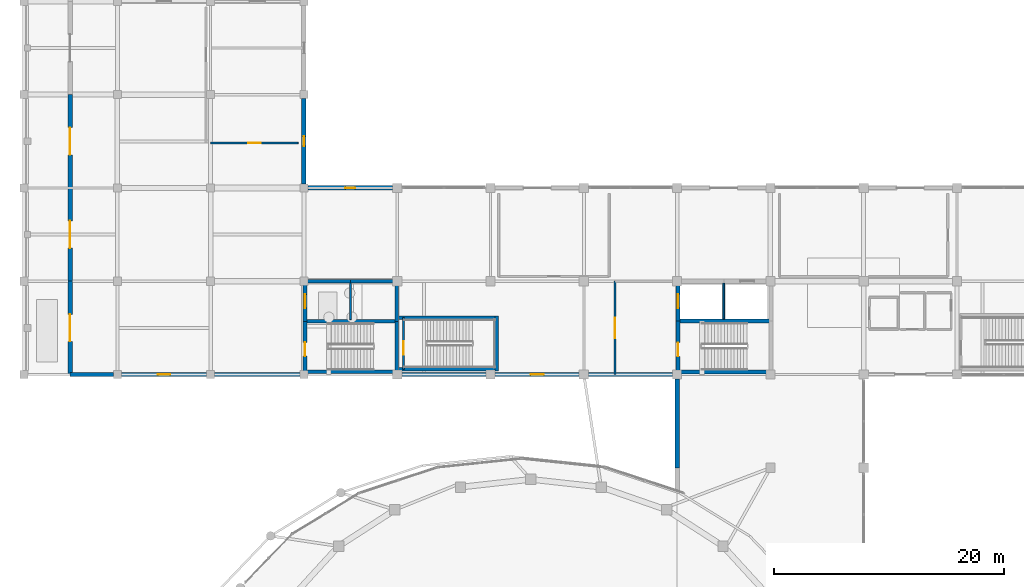
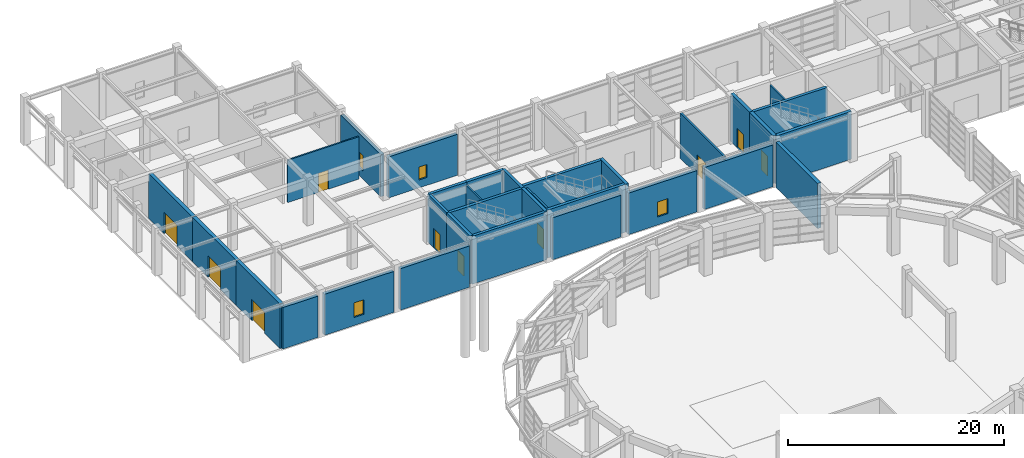
# One storey, part 38 of 52: 32 walls, 10 doors, 4 windows, 14 openings.
"""IFC4 building model written with IfcOpenShell, lengths in metres."""

from ifc_helpers import new_model, si_unit, direction, frame, frame_2d, origin, place, context, subcontext, project, spatial, rectangle, extrude, material, layer, layer_set, type_object, element, fill, save


model = new_model("IFC4")

# Units and contexts
model_context = context("Model", 3, precision=1e-05, world=origin(), true_north=direction((0.0, 1.0)))
body_context = subcontext(model_context, "Body", "Model", "MODEL_VIEW")
ifc_project = project(units=[si_unit("LENGTHUNIT", "METRE"), si_unit("AREAUNIT", "SQUARE_METRE"), si_unit("VOLUMEUNIT", "CUBIC_METRE"), si_unit("PLANEANGLEUNIT", "RADIAN"), si_unit("MASSUNIT", "GRAM", prefix="KILO")], contexts=[model_context])

# Site, building, storey
site_placement = place(None, origin())
site = spatial("IfcSite", under=ifc_project, at=site_placement, CompositionType="ELEMENT")
building_placement = place(site_placement, origin())
building = spatial("IfcBuilding", under=site, at=building_placement, Name="Parian Resonance Hall", CompositionType="ELEMENT")
storey_placement = place(building_placement, origin())
storey = spatial("IfcBuildingStorey", under=building, at=storey_placement, Name="L00", CompositionType="ELEMENT", Elevation=0.0)

# Wall
ifc_material_1 = material(Name="Concrete C40/50", Category="concrete")
ifc_layer_1 = layer(ifc_material_1, 0.31005859375)
ifc_layer_set_1 = layer_set([ifc_layer_1], Name="Concrete C40/50")
wall_type_1 = type_object("IfcWallType", Name="CW310", PredefinedType="SHEAR", material=ifc_layer_set_1)
wall_1_placement = place(storey_placement, frame((56.77001953125, 77.550048828125, 0.0), z_axis=(0.0, 0.0, 1.0), x_axis=(1.0, 0.0, 0.0)))
element("IfcWall", 1, at=wall_1_placement, inside=storey, type_object=wall_type_1, Name="Core K1 stair-lift divider wall L00", PredefinedType="SHEAR", context=body_context, shape_type="SweptSolid", body=[
    extrude(rectangle(XDim=8.06005859375, YDim=0.31005859375, at=frame_2d((4.030029296875, 0.0))), origin(), (0.0, 0.0, 1.0), 5.39990234375),
])

# Wall, opening, door
wall_2_placement = place(storey_placement, frame((24.389892578125, 73.14990234375, 0.0), z_axis=(0.0, 0.0, 1.0), x_axis=(0.0, 1.0, 0.0)))
wall_2 = element("IfcWall", 2, at=wall_2_placement, inside=storey, type_object=wall_type_1, Name="Core K4 stairwell west shear wall L00", PredefinedType="SHEAR", context=body_context, shape_type="SweptSolid", body=[
    extrude(rectangle(XDim=4.360107421875, YDim=0.31005859375, at=frame_2d((2.18017578125, 0.0))), origin(), (0.0, 0.0, 1.0), 5.39990234375),
])
opening_1_placement = place(wall_2_placement, frame((1.35009765625, 0.0, 0.0)))
opening_1 = element("IfcOpeningElement", 3, at=opening_1_placement, cuts=wall_2, Name="Opening FD-01", PredefinedType="OPENING", context=body_context, shape_type="SweptSolid", body=[
    extrude(rectangle(XDim=1.199951171875, YDim=2.25, at=frame_2d((0.60009765625, 1.125))), frame((0.0, 0.1650390625, 0.0), z_axis=(0.0, -1.0, 0.0), x_axis=(1.0, 0.0, 0.0)), (0.0, 0.0, 1.0), 0.330078125),
])
ifc_material_2 = material(Name="Fire-rated acoustic steel and narra timber door", Category="steel")
door_type_1 = type_object("IfcDoorType", Name="FD-01", OperationType="NOTDEFINED", PredefinedType="DOOR", material=ifc_material_2)
door_1_placement = place(opening_1_placement, origin())
door_1 = element("IfcDoor", 4, at=door_1_placement, inside=storey, type_object=door_type_1, Name="Exit stair ST-04 fire door L00", OperationType="SINGLE_SWING_LEFT", OverallHeight=2.25, OverallWidth=1.199951171875, PredefinedType="DOOR", context=body_context, shape_type="SweptSolid", body=[
    extrude(rectangle(XDim=1.199951171875, YDim=2.25, at=frame_2d((0.60009765625, 1.125))), frame((0.0, 0.02490234375, 0.0), z_axis=(0.0, -1.0, 0.0), x_axis=(1.0, 0.0, 0.0)), (0.0, 0.0, 1.0), 0.050048828125),
])
fill(opening_1, door_1)

wall_3_placement = place(storey_placement, frame((24.389892578125, 77.510009765625, 0.0), z_axis=(0.0, 0.0, 1.0), x_axis=(0.0, 1.0, 0.0)))
wall_3 = element("IfcWall", 5, at=wall_3_placement, inside=storey, type_object=wall_type_1, Name="Core K4 lift shaft west shear wall L00", PredefinedType="SHEAR", context=body_context, shape_type="SweptSolid", body=[
    extrude(rectangle(XDim=3.489990234375, YDim=0.31005859375, at=frame_2d((1.7451171875, 0.0))), origin(), (0.0, 0.0, 1.0), 5.39990234375),
])
opening_2_placement = place(wall_3_placement, frame((1.14501953125, 0.0, 0.0)))
opening_2 = element("IfcOpeningElement", 6, at=opening_2_placement, cuts=wall_3, Name="Opening LD-01", PredefinedType="OPENING", context=body_context, shape_type="SweptSolid", body=[
    extrude(rectangle(XDim=1.199951171875, YDim=2.199951171875, at=frame_2d((0.60009765625, 1.10009765625))), frame((0.0, 0.1650390625, 0.0), z_axis=(0.0, -1.0, 0.0), x_axis=(1.0, 0.0, 0.0)), (0.0, 0.0, 1.0), 0.330078125),
])
ifc_material_3 = material(Name="Stainless steel and bronze elevator cab", Category="steel")
door_type_2 = type_object("IfcDoorType", Name="DOOR-LIFT-1200x2200", OperationType="SLIDING_TO_LEFT", PredefinedType="DOOR", material=ifc_material_3)
door_2_placement = place(opening_2_placement, origin())
door_2 = element("IfcDoor", 7, at=door_2_placement, inside=storey, type_object=door_type_2, Name="Lift LF-05 sliding landing door L00", OperationType="SLIDING_TO_LEFT", OverallHeight=2.199951171875, OverallWidth=1.199951171875, PredefinedType="DOOR", context=body_context, shape_type="SweptSolid", body=[
    extrude(rectangle(XDim=1.199951171875, YDim=2.199951171875, at=frame_2d((0.60009765625, 1.10009765625))), frame((0.0, 0.02490234375, 0.0), z_axis=(0.0, -1.0, 0.0), x_axis=(1.0, 0.0, 0.0)), (0.0, 0.0, 1.0), 0.050048828125),
])
fill(opening_2, door_2)

# Walls
wall_4_placement = place(storey_placement, frame((24.389892578125, 81.0, 0.0), z_axis=(0.0, 0.0, 1.0), x_axis=(1.0, 0.0, 0.0)))
element("IfcWall", 8, at=wall_4_placement, inside=storey, type_object=wall_type_1, Name="Core K4 north-west shaft wall L00", PredefinedType="SHEAR", context=body_context, shape_type="SweptSolid", body=[
    extrude(rectangle(XDim=3.960205078125, YDim=0.31005859375, at=frame_2d((1.97998046875, 0.0))), origin(), (0.0, 0.0, 1.0), 5.39990234375),
])
wall_5_placement = place(storey_placement, frame((28.35009765625, 81.0, 0.0), z_axis=(0.0, 0.0, 1.0), x_axis=(1.0, 0.0, 0.0)))
element("IfcWall", 9, at=wall_5_placement, inside=storey, type_object=wall_type_1, Name="Core K4 north-east shaft wall L00", PredefinedType="SHEAR", context=body_context, shape_type="SweptSolid", body=[
    extrude(rectangle(XDim=4.02001953125, YDim=0.31005859375, at=frame_2d((2.010009765625, 0.0))), origin(), (0.0, 0.0, 1.0), 5.39990234375),
])
wall_6_placement = place(storey_placement, frame((32.3701171875, 81.0, 0.0), z_axis=(0.0, 0.0, 1.0), x_axis=(0.0, -1.0, 0.0)))
element("IfcWall", 10, at=wall_6_placement, inside=storey, type_object=wall_type_1, Name="Core K4 east shaft wall L00", PredefinedType="SHEAR", context=body_context, shape_type="SweptSolid", body=[
    extrude(rectangle(XDim=3.489990234375, YDim=0.31005859375, at=frame_2d((1.7451171875, 0.0))), origin(), (0.0, 0.0, 1.0), 5.39990234375),
])
wall_7_placement = place(storey_placement, frame((32.3701171875, 77.510009765625, 0.0), z_axis=(0.0, 0.0, 1.0), x_axis=(0.0, -1.0, 0.0)))
element("IfcWall", 11, at=wall_7_placement, inside=storey, type_object=wall_type_1, Name="Core K4 stairwell east wall L00", PredefinedType="SHEAR", context=body_context, shape_type="SweptSolid", body=[
    extrude(rectangle(XDim=4.360107421875, YDim=0.31005859375, at=frame_2d((2.18017578125, 0.0))), origin(), (0.0, 0.0, 1.0), 5.39990234375),
])
for number, where, z_axis, x_axis, name in (
    (12, (32.3701171875, 73.14990234375, 0.0), (0.0, 0.0, 1.0), (-1.0, 0.0, 0.0), "Core K4 stairwell south wall L00"),
    (13, (24.389892578125, 77.510009765625, 0.0), (0.0, 0.0, 1.0), (1.0, 0.0, 0.0), "Core K4 stair-lift divider wall L00"),
):
    element("IfcWall", number, at=place(storey_placement, frame(where, z_axis=z_axis, x_axis=x_axis)), inside=storey, type_object=wall_type_1, Name=name, PredefinedType="SHEAR", context=body_context, shape_type="SweptSolid", body=[
        extrude(rectangle(XDim=7.980224609375, YDim=0.31005859375, at=frame_2d((3.990234375, 0.0))), origin(), (0.0, 0.0, 1.0), 5.39990234375),
    ])
wall_8_placement = place(storey_placement, frame((32.39990234375, 73.35009765625, 0.0), z_axis=(0.0, 0.0, 1.0), x_axis=(1.0, 0.0, 0.0)))
element("IfcWall", 14, at=wall_8_placement, inside=storey, type_object=wall_type_1, Name="Enclosed foyer exit stair ST-07 shear wall L00-S", PredefinedType="SHEAR", context=body_context, shape_type="SweptSolid", body=[
    extrude(rectangle(XDim=8.795166015625, YDim=0.31005859375, at=frame_2d((4.3974609375, 0.0))), origin(), (0.0, 0.0, 1.0), 5.39990234375),
])
wall_9_placement = place(storey_placement, frame((41.0400390625, 73.195068359375, 0.0), z_axis=(0.0, 0.0, 1.0), x_axis=(0.0, 1.0, 0.0)))
element("IfcWall", 15, at=wall_9_placement, inside=storey, type_object=wall_type_1, Name="Enclosed foyer exit stair ST-07 shear wall L00-E", PredefinedType="SHEAR", context=body_context, shape_type="SweptSolid", body=[
    extrude(rectangle(XDim=4.7900390625, YDim=0.31005859375, at=frame_2d((2.39501953125, 0.0))), origin(), (0.0, 0.0, 1.0), 5.39990234375),
])
wall_10_placement = place(storey_placement, frame((41.195068359375, 77.830078125, 0.0), z_axis=(0.0, 0.0, 1.0), x_axis=(-1.0, 0.0, 0.0)))
element("IfcWall", 16, at=wall_10_placement, inside=storey, type_object=wall_type_1, Name="Enclosed foyer exit stair ST-07 shear wall L00-N", PredefinedType="SHEAR", context=body_context, shape_type="SweptSolid", body=[
    extrude(rectangle(XDim=8.795166015625, YDim=0.31005859375, at=frame_2d((4.3974609375, 0.0))), origin(), (0.0, 0.0, 1.0), 5.39990234375),
])

# Wall, opening, door
ifc_material_4 = material(Name="Concrete C40/50", Category="concrete")
ifc_layer_2 = layer(ifc_material_4, 0.35009765625)
ifc_layer_set_2 = layer_set([ifc_layer_2], Name="Concrete C40/50")
wall_type_2 = type_object("IfcWallType", Name="CW350", PredefinedType="SHEAR", material=ifc_layer_set_2)
wall_11_placement = place(storey_placement, frame((56.77001953125, 73.1298828125, 0.0), z_axis=(0.0, 0.0, 1.0), x_axis=(0.0, 1.0, 0.0)))
wall_11 = element("IfcWall", 17, at=wall_11_placement, inside=storey, type_object=wall_type_2, Name="Core K1 stairwell west shear wall L00", PredefinedType="SHEAR", context=body_context, shape_type="SweptSolid", body=[
    extrude(rectangle(XDim=4.420166015625, YDim=0.35009765625, at=frame_2d((2.2099609375, 0.0))), origin(), (0.0, 0.0, 1.0), 5.39990234375),
])
opening_3_placement = place(wall_11_placement, frame((1.35009765625, 0.0, 0.0)))
opening_3 = element("IfcOpeningElement", 18, at=opening_3_placement, cuts=wall_11, Name="Opening FD-01", PredefinedType="OPENING", context=body_context, shape_type="SweptSolid", body=[
    extrude(rectangle(XDim=1.199951171875, YDim=2.25, at=frame_2d((0.60009765625, 1.125))), frame((0.0, 0.18505859375, 0.0), z_axis=(0.0, -1.0, 0.0), x_axis=(1.0, 0.0, 0.0)), (0.0, 0.0, 1.0), 0.3701171875),
])
door_3_placement = place(opening_3_placement, origin())
door_3 = element("IfcDoor", 19, at=door_3_placement, inside=storey, type_object=door_type_1, Name="Exit stair ST-01 fire door L00", OperationType="SINGLE_SWING_RIGHT", OverallHeight=2.25, OverallWidth=1.199951171875, PredefinedType="DOOR", context=body_context, shape_type="SweptSolid", body=[
    extrude(rectangle(XDim=1.199951171875, YDim=2.25, at=frame_2d((0.60009765625, 1.125))), frame((0.0, 0.02490234375, 0.0), z_axis=(0.0, -1.0, 0.0), x_axis=(1.0, 0.0, 0.0)), (0.0, 0.0, 1.0), 0.050048828125),
])
fill(opening_3, door_3)

wall_12_placement = place(storey_placement, frame((56.77001953125, 77.550048828125, 0.0), z_axis=(0.0, 0.0, 1.0), x_axis=(0.0, 1.0, 0.0)))
wall_12 = element("IfcWall", 20, at=wall_12_placement, inside=storey, type_object=wall_type_2, Name="Core K1 lift shaft west shear wall L00", PredefinedType="SHEAR", context=body_context, shape_type="SweptSolid", body=[
    extrude(rectangle(XDim=3.449951171875, YDim=0.35009765625, at=frame_2d((1.72509765625, 0.0))), origin(), (0.0, 0.0, 1.0), 5.39990234375),
])
opening_4_placement = place(wall_12_placement, frame((1.125, 0.0, 0.0)))
opening_4 = element("IfcOpeningElement", 21, at=opening_4_placement, cuts=wall_12, Name="Opening LD-01", PredefinedType="OPENING", context=body_context, shape_type="SweptSolid", body=[
    extrude(rectangle(XDim=1.199951171875, YDim=2.199951171875, at=frame_2d((0.60009765625, 1.10009765625))), frame((0.0, 0.18505859375, 0.0), z_axis=(0.0, -1.0, 0.0), x_axis=(1.0, 0.0, 0.0)), (0.0, 0.0, 1.0), 0.3701171875),
])
door_4_placement = place(opening_4_placement, origin())
door_4 = element("IfcDoor", 22, at=door_4_placement, inside=storey, type_object=door_type_2, Name="Lift LF-01 sliding landing door L00", OperationType="SLIDING_TO_LEFT", OverallHeight=2.199951171875, OverallWidth=1.199951171875, PredefinedType="DOOR", context=body_context, shape_type="SweptSolid", body=[
    extrude(rectangle(XDim=1.199951171875, YDim=2.199951171875, at=frame_2d((0.60009765625, 1.10009765625))), frame((0.0, 0.02490234375, 0.0), z_axis=(0.0, -1.0, 0.0), x_axis=(1.0, 0.0, 0.0)), (0.0, 0.0, 1.0), 0.050048828125),
])
fill(opening_4, door_4)

# Wall
wall_13_placement = place(storey_placement, frame((64.830078125, 73.1298828125, 0.0), z_axis=(0.0, 0.0, 1.0), x_axis=(-1.0, 0.0, 0.0)))
element("IfcWall", 23, at=wall_13_placement, inside=storey, type_object=wall_type_2, Name="Core K1 stairwell south wall L00", PredefinedType="SHEAR", context=body_context, shape_type="SweptSolid", body=[
    extrude(rectangle(XDim=8.06005859375, YDim=0.35009765625, at=frame_2d((4.030029296875, 0.0))), origin(), (0.0, 0.0, 1.0), 5.39990234375),
])

# Wall, opening, door
ifc_material_5 = material(Name="Concrete C35/45 with Carcar coral-limestone ashlar", Category="masonry")
ifc_layer_3 = layer(ifc_material_5, 0.3798828125)
ifc_layer_set_3 = layer_set([ifc_layer_3], Name="Concrete C35/45 with Carcar coral-limestone ashlar")
wall_type_3 = type_object("IfcWallType", Name="EW-PLINTH-380", PredefinedType="SOLIDWALL", material=ifc_layer_set_3)
wall_14_placement = place(storey_placement, frame((4.0, 72.89990234375, 0.0), z_axis=(0.0, 0.0, 1.0), x_axis=(0.0, 1.0, 0.0)))
wall_14 = element("IfcWall", 24, at=wall_14_placement, inside=storey, type_object=wall_type_3, Name="Exterior wall EW-L00-0103", PredefinedType="SOLIDWALL", context=body_context, shape_type="SweptSolid", body=[
    extrude(rectangle(XDim=8.10009765625, YDim=0.3798828125, at=frame_2d((4.050048828125, 0.0))), origin(), (0.0, 0.0, 1.0), 5.050048828125),
])
opening_5_placement = place(wall_14_placement, frame((2.8701171875, 0.0, 0.0)))
opening_5 = element("IfcOpeningElement", 25, at=opening_5_placement, cuts=wall_14, Name="Opening EX-01", PredefinedType="OPENING", context=body_context, shape_type="SweptSolid", body=[
    extrude(rectangle(XDim=2.360107421875, YDim=2.39990234375, at=frame_2d((1.18017578125, 1.199951171875))), frame((0.0, 0.199951171875, 0.0), z_axis=(0.0, -1.0, 0.0), x_axis=(1.0, 0.0, 0.0)), (0.0, 0.0, 1.0), 0.39990234375),
])
ifc_material_6 = material(Name="Marine-grade bronze and acoustic glazed door")
door_type_3 = type_object("IfcDoorType", Name="ED-EXIT-2000x2400", OperationType="NOTDEFINED", PredefinedType="DOOR", material=ifc_material_6)
door_5_placement = place(opening_5_placement, origin())
door_5 = element("IfcDoor", 26, at=door_5_placement, inside=storey, type_object=door_type_3, Name="West colonnade chamber foyer exit door EX-V2-9", OperationType="DOUBLE_DOOR_SINGLE_SWING", OverallHeight=2.39990234375, OverallWidth=2.360107421875, PredefinedType="DOOR", context=body_context, shape_type="SweptSolid", body=[
    extrude(rectangle(XDim=2.360107421875, YDim=2.39990234375, at=frame_2d((1.18017578125, 1.199951171875))), frame((0.0, 0.02490234375, 0.0), z_axis=(0.0, -1.0, 0.0), x_axis=(1.0, 0.0, 0.0)), (0.0, 0.0, 1.0), 0.050048828125),
])
fill(opening_5, door_5)

wall_15_placement = place(storey_placement, frame((4.0, 81.0, 0.0), z_axis=(0.0, 0.0, 1.0), x_axis=(0.0, 1.0, 0.0)))
wall_15 = element("IfcWall", 27, at=wall_15_placement, inside=storey, type_object=wall_type_3, Name="Exterior wall EW-L00-0106", PredefinedType="SOLIDWALL", context=body_context, shape_type="SweptSolid", body=[
    extrude(rectangle(XDim=8.10009765625, YDim=0.3798828125, at=frame_2d((4.050048828125, 0.0))), origin(), (0.0, 0.0, 1.0), 5.050048828125),
])
opening_6_placement = place(wall_15_placement, frame((2.8701171875, 0.0, 0.0)))
opening_6 = element("IfcOpeningElement", 28, at=opening_6_placement, cuts=wall_15, Name="Opening EX-01", PredefinedType="OPENING", context=body_context, shape_type="SweptSolid", body=[
    extrude(rectangle(XDim=2.360107421875, YDim=2.39990234375, at=frame_2d((1.18017578125, 1.199951171875))), frame((0.0, 0.199951171875, 0.0), z_axis=(0.0, -1.0, 0.0), x_axis=(1.0, 0.0, 0.0)), (0.0, 0.0, 1.0), 0.39990234375),
])
door_6_placement = place(opening_6_placement, origin())
door_6 = element("IfcDoor", 29, at=door_6_placement, inside=storey, type_object=door_type_3, Name="West colonnade chamber foyer exit door EX-V2-10", OperationType="DOUBLE_DOOR_SINGLE_SWING", OverallHeight=2.39990234375, OverallWidth=2.360107421875, PredefinedType="DOOR", context=body_context, shape_type="SweptSolid", body=[
    extrude(rectangle(XDim=2.360107421875, YDim=2.39990234375, at=frame_2d((1.18017578125, 1.199951171875))), frame((0.0, 0.02490234375, 0.0), z_axis=(0.0, -1.0, 0.0), x_axis=(1.0, 0.0, 0.0)), (0.0, 0.0, 1.0), 0.050048828125),
])
fill(opening_6, door_6)

wall_16_placement = place(storey_placement, frame((4.0, 89.10009765625, 0.0), z_axis=(0.0, 0.0, 1.0), x_axis=(0.0, 1.0, 0.0)))
wall_16 = element("IfcWall", 30, at=wall_16_placement, inside=storey, type_object=wall_type_3, Name="Exterior wall EW-L00-0109", PredefinedType="SOLIDWALL", context=body_context, shape_type="SweptSolid", body=[
    extrude(rectangle(XDim=8.099853515625, YDim=0.3798828125, at=frame_2d((4.0498046875, 0.0))), origin(), (0.0, 0.0, 1.0), 5.050048828125),
])
opening_7_placement = place(wall_16_placement, frame((2.8701171875, 0.0, 0.0)))
opening_7 = element("IfcOpeningElement", 31, at=opening_7_placement, cuts=wall_16, Name="Opening EX-01", PredefinedType="OPENING", context=body_context, shape_type="SweptSolid", body=[
    extrude(rectangle(XDim=2.360107421875, YDim=2.39990234375, at=frame_2d((1.18017578125, 1.199951171875))), frame((0.0, 0.199951171875, 0.0), z_axis=(0.0, -1.0, 0.0), x_axis=(1.0, 0.0, 0.0)), (0.0, 0.0, 1.0), 0.39990234375),
])
door_7_placement = place(opening_7_placement, origin())
door_7 = element("IfcDoor", 32, at=door_7_placement, inside=storey, type_object=door_type_3, Name="West colonnade chamber foyer exit door EX-V2-11", OperationType="DOUBLE_DOOR_SINGLE_SWING", OverallHeight=2.39990234375, OverallWidth=2.360107421875, PredefinedType="DOOR", context=body_context, shape_type="SweptSolid", body=[
    extrude(rectangle(XDim=2.360107421875, YDim=2.39990234375, at=frame_2d((1.18017578125, 1.199951171875))), frame((0.0, 0.02490234375, 0.0), z_axis=(0.0, -1.0, 0.0), x_axis=(1.0, 0.0, 0.0)), (0.0, 0.0, 1.0), 0.050048828125),
])
fill(opening_7, door_7)

# Wall, opening, window
wall_17_placement = place(storey_placement, frame((32.0, 89.10009765625, 0.0), z_axis=(0.0, 0.0, 1.0), x_axis=(-1.0, 0.0, 0.0)))
wall_17 = element("IfcWall", 33, at=wall_17_placement, inside=storey, type_object=wall_type_3, Name="Perimeter closure wall L00", PredefinedType="SOLIDWALL", context=body_context, shape_type="SweptSolid", body=[
    extrude(rectangle(XDim=7.35009765625, YDim=0.3798828125, at=frame_2d((3.675048828125, 0.0))), origin(), (0.0, 0.0, 1.0), 4.625),
])
opening_8_placement = place(wall_17_placement, frame((3.25, 0.0, 0.89990234375)))
opening_8 = element("IfcOpeningElement", 34, at=opening_8_placement, cuts=wall_17, Name="Opening WN-02", PredefinedType="OPENING", context=body_context, shape_type="SweptSolid", body=[
    extrude(rectangle(XDim=0.85009765625, YDim=1.449951171875, at=frame_2d((0.425048828125, 0.72509765625))), frame((0.0, 0.199951171875, 0.0), z_axis=(0.0, -1.0, 0.0), x_axis=(1.0, 0.0, 0.0)), (0.0, 0.0, 1.0), 0.39990234375),
])
ifc_material_7 = material(Name="Acoustic laminated double glazing", Category="glass")
window_type_1 = type_object("IfcWindowType", Name="WIN-850x1450", PartitioningType="SINGLE_PANEL", PredefinedType="WINDOW", material=ifc_material_7)
window_1_placement = place(opening_8_placement, origin())
window_1 = element("IfcWindow", 35, at=window_1_placement, inside=storey, type_object=window_type_1, Name="Acoustic window L00-0047", OverallHeight=1.449951171875, OverallWidth=0.85009765625, PartitioningType="SINGLE_PANEL", PredefinedType="WINDOW", context=body_context, shape_type="SweptSolid", body=[
    extrude(rectangle(XDim=0.85009765625, YDim=1.449951171875, at=frame_2d((0.425048828125, 0.72509765625))), frame((0.0, 0.030029296875, 0.0), z_axis=(0.0, -1.0, 0.0), x_axis=(1.0, 0.0, 0.0)), (0.0, 0.0, 1.0), 0.06005859375),
])
fill(opening_8, window_1)

wall_18_placement = place(storey_placement, frame((24.300048828125, 89.449951171875, 0.0), z_axis=(0.0, 0.0, 1.0), x_axis=(0.0, 1.0, 0.0)))
wall_18 = element("IfcWall", 36, at=wall_18_placement, inside=storey, type_object=wall_type_3, Name="Perimeter closure wall L00", PredefinedType="SOLIDWALL", context=body_context, shape_type="SweptSolid", body=[
    extrude(rectangle(XDim=7.400146484375, YDim=0.3798828125, at=frame_2d((3.7001953125, 0.0))), origin(), (0.0, 0.0, 1.0), 4.737060546875),
])
opening_9_placement = place(wall_18_placement, frame((3.27490234375, 0.0, 0.89990234375)))
opening_9 = element("IfcOpeningElement", 37, at=opening_9_placement, cuts=wall_18, Name="Opening WN-03", PredefinedType="OPENING", context=body_context, shape_type="SweptSolid", body=[
    extrude(rectangle(XDim=0.85009765625, YDim=1.75, at=frame_2d((0.425048828125, 0.875))), frame((0.0, 0.199951171875, 0.0), z_axis=(0.0, -1.0, 0.0), x_axis=(1.0, 0.0, 0.0)), (0.0, 0.0, 1.0), 0.39990234375),
])
ifc_material_8 = material(Name="Acoustic laminated double glazing", Category="glass")
window_type_2 = type_object("IfcWindowType", Name="WIN-850x1750", PartitioningType="SINGLE_PANEL", PredefinedType="WINDOW", material=ifc_material_8)
window_2_placement = place(opening_9_placement, origin())
window_2 = element("IfcWindow", 38, at=window_2_placement, inside=storey, type_object=window_type_2, Name="Acoustic window L00-0048", OverallHeight=1.75, OverallWidth=0.85009765625, PartitioningType="SINGLE_PANEL", PredefinedType="WINDOW", context=body_context, shape_type="SweptSolid", body=[
    extrude(rectangle(XDim=0.85009765625, YDim=1.75, at=frame_2d((0.425048828125, 0.875))), frame((0.0, 0.030029296875, 0.0), z_axis=(0.0, -1.0, 0.0), x_axis=(1.0, 0.0, 0.0)), (0.0, 0.0, 1.0), 0.06005859375),
])
fill(opening_9, window_2)

# Wall
wall_19_placement = place(storey_placement, frame((4.0, 72.89990234375, 0.0), z_axis=(0.0, 0.0, 1.0), x_axis=(1.0, 0.0, 0.0)))
element("IfcWall", 39, at=wall_19_placement, inside=storey, type_object=wall_type_3, Name="Perimeter closure wall L00", PredefinedType="SOLIDWALL", context=body_context, shape_type="SweptSolid", body=[
    extrude(rectangle(XDim=3.75, YDim=0.3798828125, at=frame_2d((1.875, 0.0))), origin(), (0.0, 0.0, 1.0), 4.677001953125),
])

# Wall, opening, window
wall_20_placement = place(storey_placement, frame((8.449951171875, 72.89990234375, 0.0), z_axis=(0.0, 0.0, 1.0), x_axis=(1.0, 0.0, 0.0)))
wall_20 = element("IfcWall", 40, at=wall_20_placement, inside=storey, type_object=wall_type_3, Name="Perimeter closure wall L00", PredefinedType="SOLIDWALL", context=body_context, shape_type="SweptSolid", body=[
    extrude(rectangle(XDim=7.400146484375, YDim=0.3798828125, at=frame_2d((3.7001953125, 0.0))), origin(), (0.0, 0.0, 1.0), 4.625),
])
opening_10_placement = place(wall_20_placement, frame((3.175048828125, 0.0, 0.89990234375)))
opening_10 = element("IfcOpeningElement", 41, at=opening_10_placement, cuts=wall_20, Name="Opening WN-08", PredefinedType="OPENING", context=body_context, shape_type="SweptSolid", body=[
    extrude(rectangle(XDim=1.050048828125, YDim=1.64990234375, at=frame_2d((0.52490234375, 0.824951171875))), frame((0.0, 0.199951171875, 0.0), z_axis=(0.0, -1.0, 0.0), x_axis=(1.0, 0.0, 0.0)), (0.0, 0.0, 1.0), 0.39990234375),
])
ifc_material_9 = material(Name="Acoustic laminated double glazing", Category="glass")
window_type_3 = type_object("IfcWindowType", Name="WIN-1050x1650", PartitioningType="SINGLE_PANEL", PredefinedType="WINDOW", material=ifc_material_9)
window_3_placement = place(opening_10_placement, origin())
window_3 = element("IfcWindow", 42, at=window_3_placement, inside=storey, type_object=window_type_3, Name="Acoustic window L00-0053", OverallHeight=1.64990234375, OverallWidth=1.050048828125, PartitioningType="SINGLE_PANEL", PredefinedType="WINDOW", context=body_context, shape_type="SweptSolid", body=[
    extrude(rectangle(XDim=1.050048828125, YDim=1.64990234375, at=frame_2d((0.52490234375, 0.824951171875))), frame((0.0, 0.030029296875, 0.0), z_axis=(0.0, -1.0, 0.0), x_axis=(1.0, 0.0, 0.0)), (0.0, 0.0, 1.0), 0.06005859375),
])
fill(opening_10, window_3)

# Walls
wall_21_placement = place(storey_placement, frame((16.550048828125, 72.89990234375, 0.0), z_axis=(0.0, 0.0, 1.0), x_axis=(1.0, 0.0, 0.0)))
element("IfcWall", 43, at=wall_21_placement, inside=storey, type_object=wall_type_3, Name="Perimeter closure wall L00", PredefinedType="SOLIDWALL", context=body_context, shape_type="SweptSolid", body=[
    extrude(rectangle(XDim=7.39990234375, YDim=0.3798828125, at=frame_2d((3.699951171875, 0.0))), origin(), (0.0, 0.0, 1.0), 4.677001953125),
])
wall_22_placement = place(storey_placement, frame((32.800048828125, 72.89990234375, 0.0), z_axis=(0.0, 0.0, 1.0), x_axis=(1.0, 0.0, 0.0)))
element("IfcWall", 44, at=wall_22_placement, inside=storey, type_object=wall_type_3, Name="Perimeter closure wall L00", PredefinedType="SOLIDWALL", context=body_context, shape_type="SweptSolid", body=[
    extrude(rectangle(XDim=7.300048828125, YDim=0.3798828125, at=frame_2d((3.64990234375, 0.0))), origin(), (0.0, 0.0, 1.0), 4.72705078125),
])

# Wall, opening, window
wall_23_placement = place(storey_placement, frame((40.89990234375, 72.89990234375, 0.0), z_axis=(0.0, 0.0, 1.0), x_axis=(1.0, 0.0, 0.0)))
wall_23 = element("IfcWall", 45, at=wall_23_placement, inside=storey, type_object=wall_type_3, Name="Perimeter closure wall L00", PredefinedType="SOLIDWALL", context=body_context, shape_type="SweptSolid", body=[
    extrude(rectangle(XDim=7.300048828125, YDim=0.3798828125, at=frame_2d((3.64990234375, 0.0))), origin(), (0.0, 0.0, 1.0), 4.675048828125),
])
opening_11_placement = place(wall_23_placement, frame((3.074951171875, 0.0, 0.89990234375)))
opening_11 = element("IfcOpeningElement", 46, at=opening_11_placement, cuts=wall_23, Name="Opening WN-11", PredefinedType="OPENING", context=body_context, shape_type="SweptSolid", body=[
    extrude(rectangle(XDim=1.14990234375, YDim=1.699951171875, at=frame_2d((0.574951171875, 0.85009765625))), frame((0.0, 0.199951171875, 0.0), z_axis=(0.0, -1.0, 0.0), x_axis=(1.0, 0.0, 0.0)), (0.0, 0.0, 1.0), 0.39990234375),
])
ifc_material_10 = material(Name="Acoustic laminated double glazing", Category="glass")
window_type_4 = type_object("IfcWindowType", Name="WIN-1150x1700", PartitioningType="SINGLE_PANEL", PredefinedType="WINDOW", material=ifc_material_10)
window_4_placement = place(opening_11_placement, origin())
window_4 = element("IfcWindow", 47, at=window_4_placement, inside=storey, type_object=window_type_4, Name="Acoustic window L00-0054", OverallHeight=1.699951171875, OverallWidth=1.14990234375, PartitioningType="SINGLE_PANEL", PredefinedType="WINDOW", context=body_context, shape_type="SweptSolid", body=[
    extrude(rectangle(XDim=1.14990234375, YDim=1.699951171875, at=frame_2d((0.574951171875, 0.85009765625))), frame((0.0, 0.030029296875, 0.0), z_axis=(0.0, -1.0, 0.0), x_axis=(1.0, 0.0, 0.0)), (0.0, 0.0, 1.0), 0.06005859375),
])
fill(opening_11, window_4)

# Walls
wall_24_placement = place(storey_placement, frame((49.0, 72.89990234375, 0.0), z_axis=(0.0, 0.0, 1.0), x_axis=(1.0, 0.0, 0.0)))
element("IfcWall", 48, at=wall_24_placement, inside=storey, type_object=wall_type_3, Name="Perimeter closure wall L00", PredefinedType="SOLIDWALL", context=body_context, shape_type="SweptSolid", body=[
    extrude(rectangle(XDim=7.300048828125, YDim=0.3798828125, at=frame_2d((3.64990234375, 0.0))), origin(), (0.0, 0.0, 1.0), 4.72705078125),
])
wall_25_placement = place(storey_placement, frame((56.699951171875, 72.5, 0.0), z_axis=(0.0, 0.0, 1.0), x_axis=(0.0, -1.0, 0.0)))
element("IfcWall", 49, at=wall_25_placement, inside=storey, type_object=wall_type_3, Name="Perimeter closure wall L00", PredefinedType="SOLIDWALL", context=body_context, shape_type="SweptSolid", body=[
    extrude(rectangle(XDim=7.699951171875, YDim=0.3798828125, at=frame_2d((3.85009765625, 0.0))), origin(), (0.0, 0.0, 1.0), 5.10009765625),
])

# Wall, opening, door
ifc_material_11 = material(Name="Concrete C35/45 fire barrier", Category="concrete")
ifc_layer_4 = layer(ifc_material_11, 0.199951171875)
ifc_layer_set_4 = layer_set([ifc_layer_4], Name="Concrete C35/45 fire barrier")
wall_type_4 = type_object("IfcWallType", Name="FW200", PredefinedType="PARTITIONING", material=ifc_layer_set_4)
wall_26_placement = place(storey_placement, frame((51.300048828125, 72.89990234375, 0.0), z_axis=(0.0, 0.0, 1.0), x_axis=(0.0, 1.0, 0.0)))
wall_26 = element("IfcWall", 50, at=wall_26_placement, inside=storey, type_object=wall_type_4, Name="Firefighting lift lobby K1 west fire barrier L00", PredefinedType="PARTITIONING", context=body_context, shape_type="SweptSolid", body=[
    extrude(rectangle(XDim=8.10009765625, YDim=0.199951171875, at=frame_2d((4.050048828125, 0.0))), origin(), (0.0, 0.0, 1.0), 5.10009765625),
])
opening_12_placement = place(wall_26_placement, frame((3.14990234375, 0.0, 0.0)))
opening_12 = element("IfcOpeningElement", 51, at=opening_12_placement, cuts=wall_26, Name="Opening FD-02", PredefinedType="OPENING", context=body_context, shape_type="SweptSolid", body=[
    extrude(rectangle(XDim=1.800048828125, YDim=2.25, at=frame_2d((0.89990234375, 1.125))), frame((0.0, 0.10986328125, 0.0), z_axis=(0.0, -1.0, 0.0), x_axis=(1.0, 0.0, 0.0)), (0.0, 0.0, 1.0), 0.219970703125),
])
ifc_material_12 = material(Name="Fire-rated acoustic steel and narra timber door", Category="steel")
door_type_4 = type_object("IfcDoorType", Name="FD-02", OperationType="NOTDEFINED", PredefinedType="DOOR", material=ifc_material_12)
door_8_placement = place(opening_12_placement, origin())
door_8 = element("IfcDoor", 52, at=door_8_placement, inside=storey, type_object=door_type_4, Name="Firefighting lift lobby K1 smoke-seal fire door L00", OperationType="DOUBLE_DOOR_SINGLE_SWING", OverallHeight=2.25, OverallWidth=1.800048828125, PredefinedType="DOOR", context=body_context, shape_type="SweptSolid", body=[
    extrude(rectangle(XDim=1.800048828125, YDim=2.25, at=frame_2d((0.89990234375, 1.125))), frame((0.0, 0.02490234375, 0.0), z_axis=(0.0, -1.0, 0.0), x_axis=(1.0, 0.0, 0.0)), (0.0, 0.0, 1.0), 0.050048828125),
])
fill(opening_12, door_8)

wall_27_placement = place(storey_placement, frame((32.949951171875, 73.35009765625, 0.0), z_axis=(0.0, 0.0, 1.0), x_axis=(0.0, 1.0, 0.0)))
wall_27 = element("IfcWall", 53, at=wall_27_placement, inside=storey, type_object=wall_type_4, Name="Enclosed foyer exit stair ST-07 fire-door front wall L00", PredefinedType="PARTITIONING", context=body_context, shape_type="SweptSolid", body=[
    extrude(rectangle(XDim=4.47998046875, YDim=0.199951171875, at=frame_2d((2.239990234375, 0.0))), origin(), (0.0, 0.0, 1.0), 5.050048828125),
])
opening_13_placement = place(wall_27_placement, frame((1.25, 0.0, 0.0)))
opening_13 = element("IfcOpeningElement", 54, at=opening_13_placement, cuts=wall_27, Name="Opening FD-01", PredefinedType="OPENING", context=body_context, shape_type="SweptSolid", body=[
    extrude(rectangle(XDim=1.199951171875, YDim=2.25, at=frame_2d((0.60009765625, 1.125))), frame((0.0, 0.10986328125, 0.0), z_axis=(0.0, -1.0, 0.0), x_axis=(1.0, 0.0, 0.0)), (0.0, 0.0, 1.0), 0.219970703125),
])
door_9_placement = place(opening_13_placement, origin())
door_9 = element("IfcDoor", 55, at=door_9_placement, inside=storey, type_object=door_type_1, Name="Exit stair ST-07 fire door L00", OperationType="SINGLE_SWING_RIGHT", OverallHeight=2.25, OverallWidth=1.199951171875, PredefinedType="DOOR", context=body_context, shape_type="SweptSolid", body=[
    extrude(rectangle(XDim=1.199951171875, YDim=2.25, at=frame_2d((0.60009765625, 1.125))), frame((0.0, 0.02490234375, 0.0), z_axis=(0.0, -1.0, 0.0), x_axis=(1.0, 0.0, 0.0)), (0.0, 0.0, 1.0), 0.050048828125),
])
fill(opening_13, door_9)

# Walls
ifc_material_13 = material(Name="Concrete C35/45 acoustic plumbing chase wall", Category="concrete")
ifc_layer_5 = layer(ifc_material_13, 0.14990234375)
ifc_layer_set_5 = layer_set([ifc_layer_5], Name="Concrete C35/45 acoustic plumbing chase wall")
wall_type_5 = type_object("IfcWallType", Name="PW150", PredefinedType="PLUMBINGWALL", material=ifc_layer_set_5)
wall_28_placement = place(storey_placement, frame((60.75, 77.7099609375, 0.0), z_axis=(0.0, 0.0, 1.0), x_axis=(0.0, 1.0, 0.0)))
element("IfcWall", 56, at=wall_28_placement, inside=storey, type_object=wall_type_5, Name="Core K1 shaft plumbing/riser divider L00", PredefinedType="PLUMBINGWALL", context=body_context, shape_type="SweptSolid", body=[
    extrude(rectangle(XDim=3.130126953125, YDim=0.14990234375, at=frame_2d((1.56494140625, 0.0))), origin(), (0.0, 0.0, 1.0), 5.050048828125),
])
wall_29_placement = place(storey_placement, frame((28.35009765625, 77.669921875, 0.0), z_axis=(0.0, 0.0, 1.0), x_axis=(0.0, 1.0, 0.0)))
element("IfcWall", 57, at=wall_29_placement, inside=storey, type_object=wall_type_5, Name="Core K4 shaft plumbing/riser divider L00", PredefinedType="PLUMBINGWALL", context=body_context, shape_type="SweptSolid", body=[
    extrude(rectangle(XDim=3.170166015625, YDim=0.14990234375, at=frame_2d((1.5849609375, 0.0))), origin(), (0.0, 0.0, 1.0), 5.050048828125),
])

# Wall, opening, door
ifc_material_14 = material(Name="Concrete C35/45 acoustic masonry partition", Category="masonry")
ifc_layer_6 = layer(ifc_material_14, 0.159912109375)
ifc_layer_set_6 = layer_set([ifc_layer_6], Name="Concrete C35/45 acoustic masonry partition")
wall_type_6 = type_object("IfcWallType", Name="PW160", PredefinedType="PARTITIONING", material=ifc_layer_set_6)
wall_30_placement = place(storey_placement, frame((23.800048828125, 93.0, 0.0), z_axis=(0.0, 0.0, 1.0), x_axis=(-1.0, 0.0, 0.0)))
wall_30 = element("IfcWall", 58, at=wall_30_placement, inside=storey, type_object=wall_type_6, Name="Interior acoustic partition IW-L00-0050", PredefinedType="PARTITIONING", context=body_context, shape_type="SweptSolid", body=[
    extrude(rectangle(XDim=7.60009765625, YDim=0.159912109375, at=frame_2d((3.800048828125, 0.0))), origin(), (0.0, 0.0, 1.0), 4.7880859375),
])
opening_14_placement = place(wall_30_placement, frame((3.260009765625, 0.0, 0.0)))
opening_14 = element("IfcOpeningElement", 59, at=opening_14_placement, cuts=wall_30, Name="Opening ID-13", PredefinedType="OPENING", context=body_context, shape_type="SweptSolid", body=[
    extrude(rectangle(XDim=1.080078125, YDim=2.14990234375, at=frame_2d((0.5400390625, 1.074951171875))), frame((0.0, 0.08984375, 0.0), z_axis=(0.0, -1.0, 0.0), x_axis=(1.0, 0.0, 0.0)), (0.0, 0.0, 1.0), 0.179931640625),
])
ifc_material_15 = material(Name="Philippine narra acoustic timber door", Category="wood")
door_type_5 = type_object("IfcDoorType", Name="ID-STU-1080x2150", OperationType="NOTDEFINED", PredefinedType="DOOR", material=ifc_material_15)
door_10_placement = place(opening_14_placement, origin())
door_10 = element("IfcDoor", 60, at=door_10_placement, inside=storey, type_object=door_type_5, Name="Chamber Instrument Room door", OperationType="SINGLE_SWING_RIGHT", OverallHeight=2.14990234375, OverallWidth=1.080078125, PredefinedType="DOOR", context=body_context, shape_type="SweptSolid", body=[
    extrude(rectangle(XDim=1.080078125, YDim=2.14990234375, at=frame_2d((0.5400390625, 1.074951171875))), frame((0.0, 0.02490234375, 0.0), z_axis=(0.0, -1.0, 0.0), x_axis=(1.0, 0.0, 0.0)), (0.0, 0.0, 1.0), 0.050048828125),
])
fill(opening_14, door_10)

save(model, "model.ifc")
